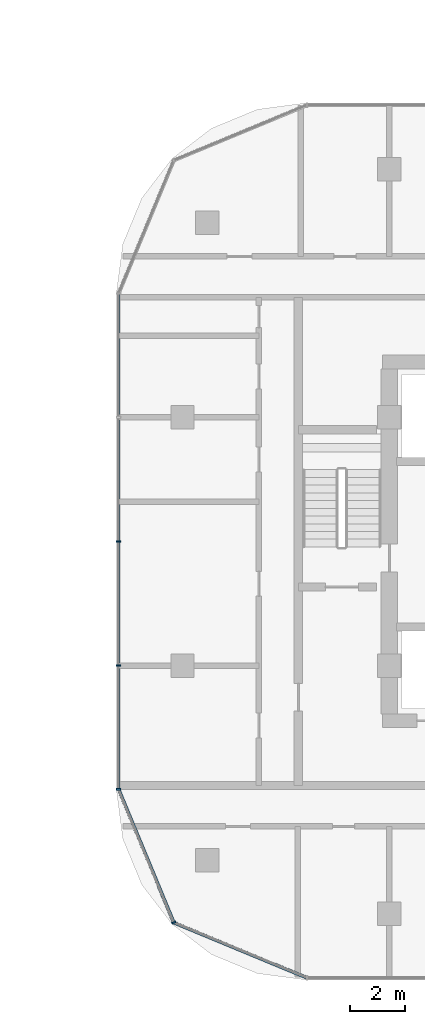
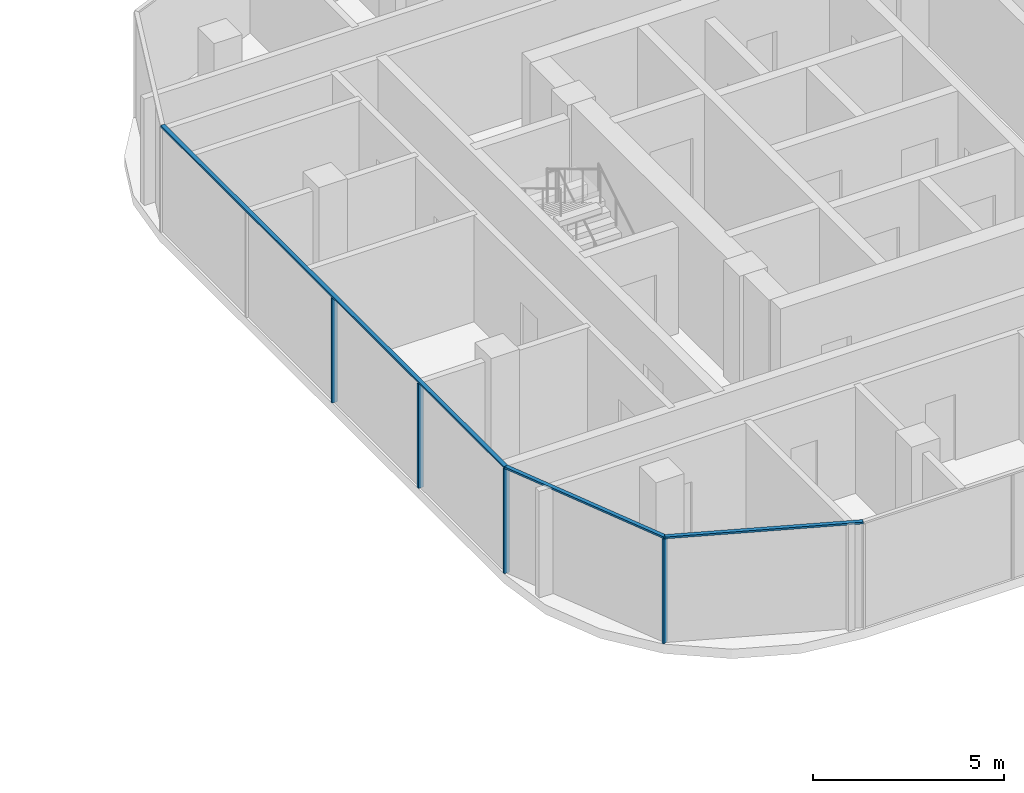
# One storey, part 9 of 34: 7 members, 2 elements without a shape of their own.
"""IFC4 building model written with IfcOpenShell, lengths in metres."""

from ifc_helpers import new_model, si_unit, direction, frame, origin, origin_2d, place, context, subcontext, project, spatial, rectangle, extrude, material, material_profile, profile_set, type_object, element, aggregate, save


model = new_model("IFC4")

# Units and contexts
model_context = context("Model", 3, precision=1e-05, world=origin(), true_north=direction((0.0, 1.0)))
body_context = subcontext(model_context, "Body", "Model", "MODEL_VIEW")
ifc_project = project(units=[si_unit("LENGTHUNIT", "METRE"), si_unit("AREAUNIT", "SQUARE_METRE"), si_unit("VOLUMEUNIT", "CUBIC_METRE"), si_unit("PLANEANGLEUNIT", "RADIAN"), si_unit("MASSUNIT", "GRAM", prefix="KILO")], contexts=[model_context])

# Site, building, storey
site_placement = place(None, origin())
site = spatial("IfcSite", under=ifc_project, at=site_placement, CompositionType="ELEMENT")
building_placement = place(site_placement, origin())
building = spatial("IfcBuilding", under=site, at=building_placement, Name="Ogive Portal Towers", CompositionType="ELEMENT")
storey_placement = place(building_placement, frame((0.0, 0.0, 66.800048828125)))
storey = spatial("IfcBuildingStorey", under=building, at=storey_placement, Name="L15", CompositionType="ELEMENT", Elevation=66.800048828125)

# Curtain wall, members
ifc_material_1 = material(Name="Glass, clear low-iron insulated glazing", Category="glass")
curtain_wall_type = type_object("IfcCurtainWallType", Name="CW RESIDENCES RIBBON", PredefinedType="NOTDEFINED", material=ifc_material_1)
curtain_wall_1_placement = place(storey_placement, origin())
curtain_wall_1 = element("IfcCurtainWall", 1, at=curtain_wall_1_placement, inside=storey, type_object=curtain_wall_type, Name="B:L15:f11:cw0", PredefinedType="NOTDEFINED")
ifc_material_2 = material(Name="Aluminium 6063 anodised", Category="aluminium")
ifc_material_profile_1 = material_profile(ifc_material_2, rectangle(XDim=0.159912109375, YDim=0.06005859375, at=origin_2d()), Name="AL 60x160")
ifc_profile_set_1 = profile_set([ifc_material_profile_1], Name="Aluminium 6063 anodised")
member_type_1 = type_object("IfcMemberType", Name="CW MULLION 60x160", PredefinedType="MULLION", material=ifc_profile_set_1)
member_1_placement = place(storey_placement, frame((119.179931640625, 31.0, 0.0), z_axis=(0.0, 0.0, 1.0), x_axis=(1.0, 0.0, 0.0)))
member_1 = element("IfcMember", 2, at=member_1_placement, type_object=member_type_1, Name="mullion", PredefinedType="MULLION", context=body_context, shape_type="SweptSolid", body=[
    extrude(rectangle(XDim=0.159912109375, YDim=0.06005859375, at=origin_2d()), origin(), (0.0, 0.0, 1.0), 3.33984375),
])
member_2_placement = place(storey_placement, frame((119.179931640625, 26.5, 0.0), z_axis=(0.0, 0.0, 1.0), x_axis=(1.0, 0.0, 0.0)))
member_2 = element("IfcMember", 3, at=member_2_placement, type_object=member_type_1, Name="mullion", PredefinedType="MULLION", context=body_context, shape_type="SweptSolid", body=[
    extrude(rectangle(XDim=0.159912109375, YDim=0.06005859375, at=origin_2d()), origin(), (0.0, 0.0, 1.0), 3.33984375),
])
member_3_placement = place(storey_placement, frame((119.179931640625, 22.015869140625, 0.0), z_axis=(0.0, 0.0, 1.0), x_axis=(1.0, 0.0, 0.0)))
member_3 = element("IfcMember", 4, at=member_3_placement, type_object=member_type_1, Name="mullion", PredefinedType="MULLION", context=body_context, shape_type="SweptSolid", body=[
    extrude(rectangle(XDim=0.159912109375, YDim=0.06005859375, at=origin_2d()), origin(), (0.0, 0.0, 1.0), 3.33984375),
])

# Curtain wall, member
curtain_wall_2_placement = place(storey_placement, origin())
curtain_wall_2 = element("IfcCurtainWall", 5, at=curtain_wall_2_placement, inside=storey, type_object=curtain_wall_type, Name="B:L15:f00:cwa", PredefinedType="NOTDEFINED")
member_4_placement = place(storey_placement, frame((121.18212890625, 17.18212890625, 0.0), z_axis=(0.0, 0.0, 1.0), x_axis=(0.923879532511, 0.382683432365, 0.0)))
member_4 = element("IfcMember", 6, at=member_4_placement, type_object=member_type_1, Name="mullion", PredefinedType="MULLION", context=body_context, shape_type="SweptSolid", body=[
    extrude(rectangle(XDim=0.159912109375, YDim=0.06005859375, at=origin_2d()), origin(), (0.0, 0.0, 1.0), 3.33984375),
])

# Member
ifc_material_profile_2 = material_profile(ifc_material_2, rectangle(XDim=0.1201171875, YDim=0.06005859375, at=origin_2d()), Name="AL 120x60")
ifc_profile_set_2 = profile_set([ifc_material_profile_2], Name="Aluminium 6063 anodised")
member_type_2 = type_object("IfcMemberType", Name="CW TRANSOM 60x120", PredefinedType="USERDEFINED", material=ifc_profile_set_2)
member_5_placement = place(storey_placement, frame((119.179931640625, 39.984130859375, 3.369873046875), z_axis=(0.0, -1.0, 0.0), x_axis=(1.0, 0.0, 0.0)))
member_5 = element("IfcMember", 7, at=member_5_placement, type_object=member_type_2, Name="transom", ObjectType="TRANSOM", PredefinedType="USERDEFINED", context=body_context, shape_type="SweptSolid", body=[
    extrude(rectangle(XDim=0.1201171875, YDim=0.06005859375, at=origin_2d()), origin(), (0.0, 0.0, 1.0), 17.96826171875),
])

aggregate(curtain_wall_1, [member_5, member_1, member_2, member_3])

member_6_placement = place(storey_placement, frame((119.179931640625, 22.015869140625, 3.369873046875), z_axis=(0.382682861952, -0.923879768784, 0.0), x_axis=(0.923879768784, 0.382682861952, 0.0)))
member_6 = element("IfcMember", 8, at=member_6_placement, type_object=member_type_2, Name="transom", ObjectType="TRANSOM", PredefinedType="USERDEFINED", context=body_context, shape_type="SweptSolid", body=[
    extrude(rectangle(XDim=0.1201171875, YDim=0.06005859375, at=origin_2d()), origin(), (0.0, 0.0, 1.0), 5.23193359375),
])

member_7_placement = place(storey_placement, frame((121.18212890625, 17.18212890625, 3.369873046875), z_axis=(0.923879768784, -0.382682861952, 0.0), x_axis=(0.382682861952, 0.923879768784, 0.0)))
member_7 = element("IfcMember", 9, at=member_7_placement, type_object=member_type_2, Name="transom", ObjectType="TRANSOM", PredefinedType="USERDEFINED", context=body_context, shape_type="SweptSolid", body=[
    extrude(rectangle(XDim=0.1201171875, YDim=0.06005859375, at=origin_2d()), origin(), (0.0, 0.0, 1.0), 5.23193359375),
])

aggregate(curtain_wall_2, [member_6, member_7, member_4])

save(model, "model.ifc")
